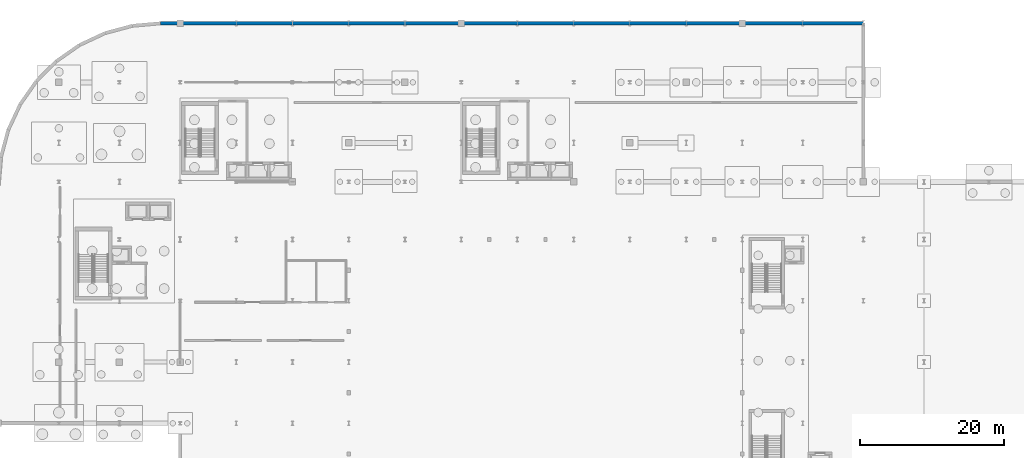
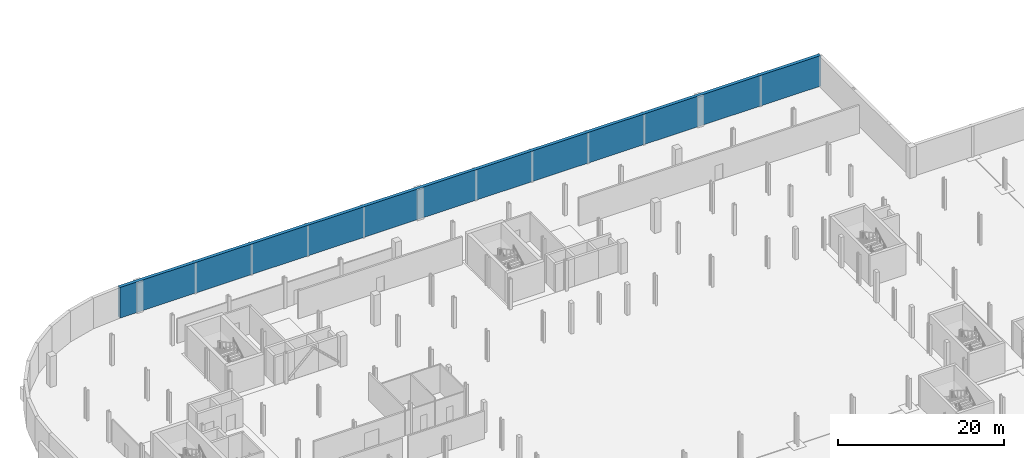
# One storey, part 29 of 45: 1 wall.
"""IFC4 building model written with IfcOpenShell, lengths in metres."""

from ifc_helpers import new_model, si_unit, direction, frame, frame_2d, origin, place, context, subcontext, project, spatial, rectangle, extrude, material, layer, layer_set, type_object, element, save


model = new_model("IFC4")

# Units and contexts
model_context = context("Model", 3, precision=1e-05, world=origin(), true_north=direction((0.0, 1.0)))
body_context = subcontext(model_context, "Body", "Model", "MODEL_VIEW")
ifc_project = project(units=[si_unit("LENGTHUNIT", "METRE"), si_unit("AREAUNIT", "SQUARE_METRE"), si_unit("VOLUMEUNIT", "CUBIC_METRE"), si_unit("PLANEANGLEUNIT", "RADIAN"), si_unit("MASSUNIT", "GRAM", prefix="KILO")], contexts=[model_context])

# Site, building, storey
site_placement = place(None, origin())
site = spatial("IfcSite", under=ifc_project, at=site_placement, CompositionType="ELEMENT")
building_placement = place(site_placement, origin())
building = spatial("IfcBuilding", under=site, at=building_placement, Name="Sefraquen Railside Congress Hotel", CompositionType="ELEMENT")
storey_placement = place(building_placement, frame((0.0, 0.0, -4.5)))
storey = spatial("IfcBuildingStorey", under=building, at=storey_placement, Name="B01", CompositionType="ELEMENT", Elevation=-4.5)

# Wall
ifc_material = material(Name="Concrete C40/50", Category="concrete")
ifc_layer = layer(ifc_material, 0.449951171875)
ifc_layer_set = layer_set([ifc_layer], Name="Concrete C40/50")
wall_type = type_object("IfcWallType", Name="TW-RW-450", PredefinedType="SOLIDWALL", material=ifc_layer_set)
wall_placement = place(storey_placement, frame((120.0, 118.0, 0.0), z_axis=(0.0, 0.0, 1.0), x_axis=(-1.0, 0.0, 0.0)))
element("IfcWall", 1, at=wall_placement, inside=storey, type_object=wall_type, Name="Basement retaining wall W-B01-RW-09", PredefinedType="SOLIDWALL", context=body_context, shape_type="SweptSolid", body=[
    extrude(rectangle(XDim=97.5, YDim=0.449951171875, at=frame_2d((48.75, 0.0))), origin(), (0.0, 0.0, 1.0), 4.5),
])

save(model, "model.ifc")
